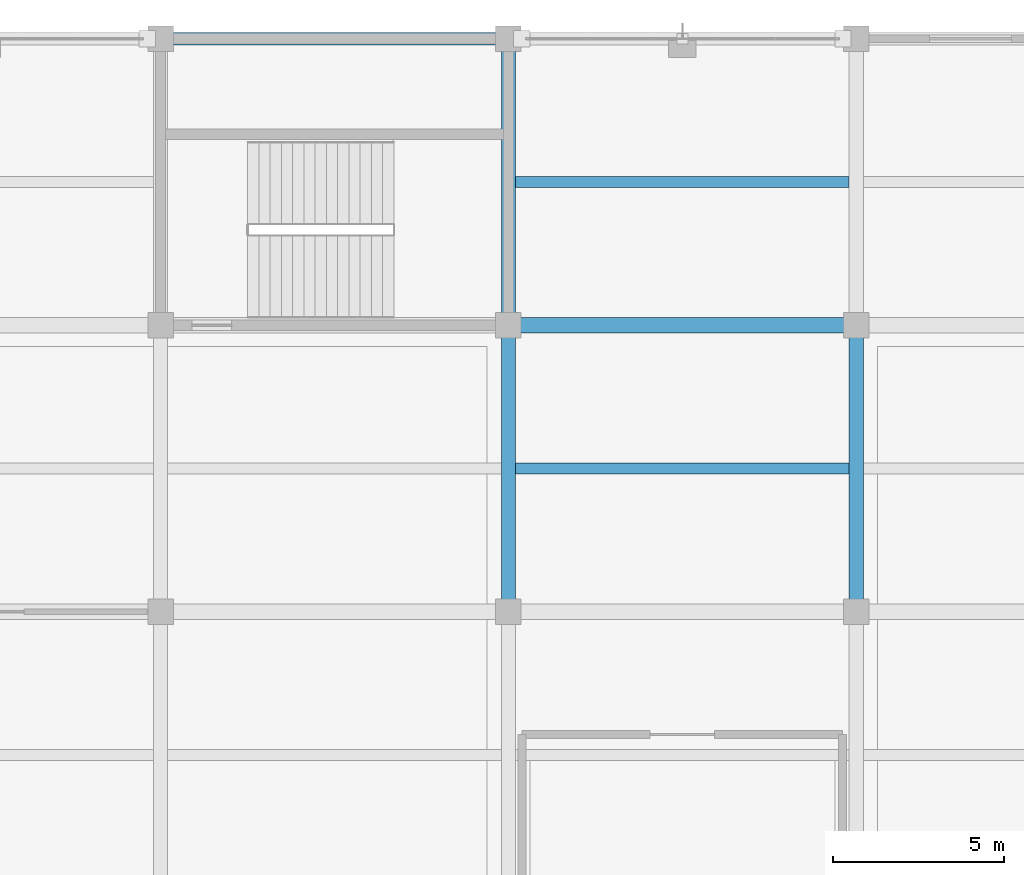
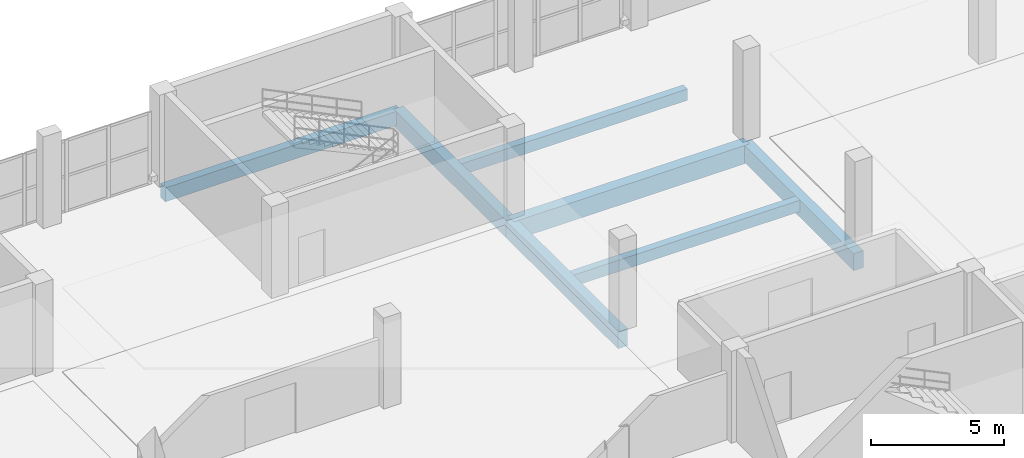
# One storey, part 90 of 157: 7 beams.
"""IFC4 building model written with IfcOpenShell, lengths in metres."""

from ifc_helpers import new_model, si_unit, direction, frame, origin, origin_2d, place, context, subcontext, project, spatial, rectangle, extrude, material, material_profile, profile_set, type_object, element, save


model = new_model("IFC4")

# Units and contexts
model_context = context("Model", 3, precision=1e-05, world=origin(), true_north=direction((0.0, 1.0)))
body_context = subcontext(model_context, "Body", "Model", "MODEL_VIEW")
ifc_project = project(units=[si_unit("LENGTHUNIT", "METRE"), si_unit("AREAUNIT", "SQUARE_METRE"), si_unit("VOLUMEUNIT", "CUBIC_METRE"), si_unit("PLANEANGLEUNIT", "RADIAN"), si_unit("MASSUNIT", "GRAM", prefix="KILO")], contexts=[model_context])

# Site, building, storey
site_placement = place(None, origin())
site = spatial("IfcSite", under=ifc_project, at=site_placement, CompositionType="ELEMENT")
building_placement = place(site_placement, origin())
building = spatial("IfcBuilding", under=site, at=building_placement, Name="Brelvane Convention Centre", CompositionType="ELEMENT")
storey_placement = place(building_placement, frame((0.0, 0.0, 10.800048828125)))
storey = spatial("IfcBuildingStorey", under=building, at=storey_placement, Name="L02", CompositionType="ELEMENT", Elevation=10.800048828125)

# Beams
ifc_material_1 = material(Name="Concrete M40", Category="concrete")
ifc_material_profile_1 = material_profile(ifc_material_1, rectangle(XDim=0.4599609375, YDim=0.840087890625, at=origin_2d()), Name="RC 460x840")
ifc_profile_set_1 = profile_set([ifc_material_profile_1], Name="Concrete M40")
beam_type_1 = type_object("IfcBeamType", Name="RC Beam B-RC11 (RC 460x840)", PredefinedType="BEAM", material=ifc_profile_set_1)
beam_1_placement = place(storey_placement, frame((30.60009765625, 135.60009765625, -0.699951171875), z_axis=(1.0, 0.0, 0.0), x_axis=(0.0, 1.0, 0.0)))
element("IfcBeam", 1, at=beam_1_placement, inside=storey, type_object=beam_type_1, Name="L02 Beam 4-5/P", PredefinedType="BEAM", context=body_context, shape_type="SweptSolid", body=[
    extrude(rectangle(XDim=0.4599609375, YDim=0.840087890625, at=origin_2d()), origin(), (0.0, 0.0, 1.0), 10.199951171875),
])
ifc_material_2 = material(Name="Concrete M40", Category="concrete")
ifc_material_profile_2 = material_profile(ifc_material_2, rectangle(XDim=0.419921875, YDim=0.780029296875, at=origin_2d()), Name="RC 420x780")
ifc_profile_set_2 = profile_set([ifc_material_profile_2], Name="Concrete M40")
beam_type_2 = type_object("IfcBeamType", Name="RC Beam B-RC12 (RC 420x780)", PredefinedType="BEAM", material=ifc_profile_set_2)
beam_2_placement = place(storey_placement, frame((30.60009765625, 127.199951171875, -0.670166015625), z_axis=(0.0, 1.0, 0.0), x_axis=(-1.0, 0.0, 0.0)))
element("IfcBeam", 2, at=beam_2_placement, inside=storey, type_object=beam_type_2, Name="L02 Girder 4/N-P", PredefinedType="BEAM", context=body_context, shape_type="SweptSolid", body=[
    extrude(rectangle(XDim=0.419921875, YDim=0.780029296875, at=origin_2d()), origin(), (0.0, 0.0, 1.0), 8.400146484375),
])
beam_3_placement = place(storey_placement, frame((30.60009765625, 135.60009765625, -0.670166015625), z_axis=(0.0, 1.0, 0.0), x_axis=(-1.0, 0.0, 0.0)))
element("IfcBeam", 3, at=beam_3_placement, inside=storey, type_object=beam_type_2, Name="L02 Girder 4/P-Q", PredefinedType="BEAM", context=body_context, shape_type="SweptSolid", body=[
    extrude(rectangle(XDim=0.419921875, YDim=0.780029296875, at=origin_2d()), origin(), (0.0, 0.0, 1.0), 8.39990234375),
])
beam_4_placement = place(storey_placement, frame((40.800048828125, 127.199951171875, -0.670166015625), z_axis=(0.0, 1.0, 0.0), x_axis=(-1.0, 0.0, 0.0)))
element("IfcBeam", 4, at=beam_4_placement, inside=storey, type_object=beam_type_2, Name="L02 Girder 5/N-P", PredefinedType="BEAM", context=body_context, shape_type="SweptSolid", body=[
    extrude(rectangle(XDim=0.419921875, YDim=0.780029296875, at=origin_2d()), origin(), (0.0, 0.0, 1.0), 8.400146484375),
])
ifc_material_3 = material(Name="Concrete M40", Category="concrete")
ifc_material_profile_3 = material_profile(ifc_material_3, rectangle(XDim=0.320068359375, YDim=0.52001953125, at=origin_2d()), Name="RC 320x520")
ifc_profile_set_3 = profile_set([ifc_material_profile_3], Name="Concrete M40")
beam_type_3 = type_object("IfcBeamType", Name="RC Joist J-RC4 (RC 320x520)", PredefinedType="JOIST", material=ifc_profile_set_3)
for number, where, z_axis, x_axis, name in (
    (5, (30.81005859375, 131.39990234375, -0.5400390625), (1.0, 0.0, 0.0), (0.0, 1.0, 0.0), "L02 Secondary Joist 4-5/NP"),
    (6, (30.81005859375, 139.800048828125, -0.5400390625), (1.0, 0.0, 0.0), (0.0, 1.0, 0.0), "L02 Secondary Joist 4-5/PQ"),
):
    element("IfcBeam", number, at=place(storey_placement, frame(where, z_axis=z_axis, x_axis=x_axis)), inside=storey, type_object=beam_type_3, Name=name, PredefinedType="JOIST", context=body_context, shape_type="SweptSolid", body=[
        extrude(rectangle(XDim=0.320068359375, YDim=0.52001953125, at=origin_2d()), origin(), (0.0, 0.0, 1.0), 9.780029296875),
    ])
ifc_material_4 = material(Name="Concrete M40", Category="concrete")
ifc_material_profile_4 = material_profile(ifc_material_4, rectangle(XDim=0.360107421875, YDim=0.639892578125, at=origin_2d()), Name="RC 360x640")
ifc_profile_set_4 = profile_set([ifc_material_profile_4], Name="Concrete M40")
beam_type_4 = type_object("IfcBeamType", Name="RC Spandrel SP-RC3 (RC 360x640)", PredefinedType="SPANDREL", material=ifc_profile_set_4)
beam_5_placement = place(storey_placement, frame((20.39990234375, 144.0, -0.60009765625), z_axis=(1.0, 0.0, 0.0), x_axis=(0.0, 1.0, 0.0)))
element("IfcBeam", 7, at=beam_5_placement, inside=storey, type_object=beam_type_4, Name="L02 Beam 3-4/Q", PredefinedType="SPANDREL", context=body_context, shape_type="SweptSolid", body=[
    extrude(rectangle(XDim=0.360107421875, YDim=0.639892578125, at=origin_2d()), origin(), (0.0, 0.0, 1.0), 10.2001953125),
])

save(model, "model.ifc")
